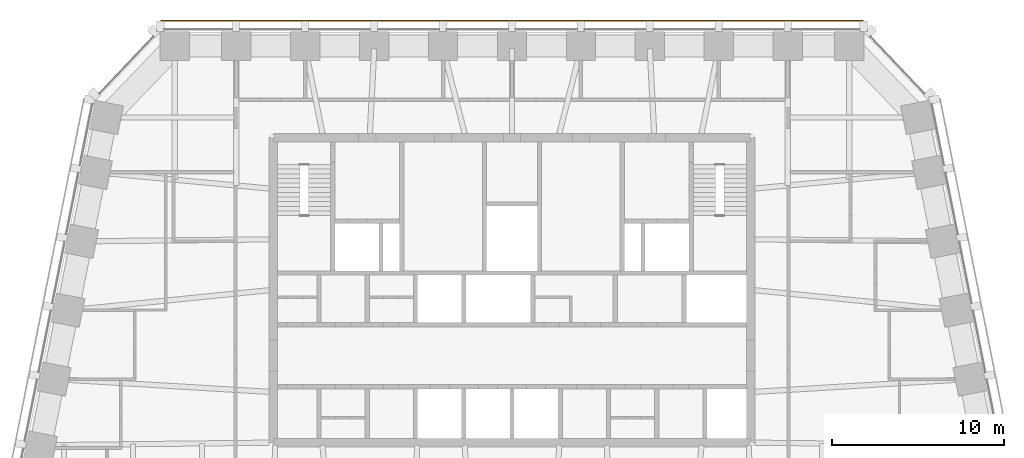
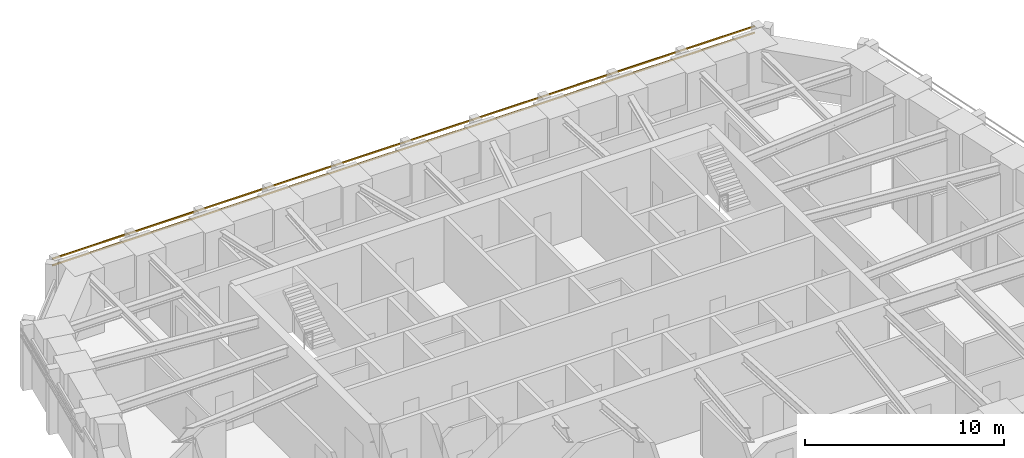
# One storey, part 11 of 11: 2 shading devices.
"""IFC4 building model written with IfcOpenShell, lengths in metres."""

import ifcopenshell
import ifcopenshell.guid

model = None  # the IFC model being written
_history = None  # IfcOwnerHistory: only IFC2X3 demands one
_inside = {}  # id of a spatial element -> (the spatial element, [elements in it])
_under = {}  # id of a project, library or spatial element -> (it, [spatial elements below it])
_declared = {}  # id of a project -> (the project, [libraries it declares])
_typed = {}  # id of a type object -> (the type object, [elements of that type])
_made_of = {}  # id of a material, layer set ... -> (it, [elements and type objects made of it])


def new_model(schema):
    """Start an empty IFC model of exactly this schema.

    Asked for "IFC4X3", IfcOpenShell would pick the latest addendum, in which some entities
    have other attributes; the version numbers below select the first issue.
    IFC2X3 requires an IfcOwnerHistory on every rooted entity: one is made here for all.
    """
    global model, _history
    if schema == "IFC4X3":
        model = ifcopenshell.file(schema_version=(4, 3, 0, 0))
    else:
        model = ifcopenshell.file(schema=schema)
    _inside.clear()
    _under.clear()
    _declared.clear()
    _typed.clear()
    _made_of.clear()
    _history = None
    if model.schema == "IFC2X3":
        org = make("IfcOrganization", Name="unknown")
        user = make(
            "IfcPersonAndOrganization",
            ThePerson=make("IfcPerson", FamilyName="unknown"),
            TheOrganization=org,
        )
        app = make(
            "IfcApplication",
            ApplicationDeveloper=org,
            Version="unknown",
            ApplicationFullName="unknown",
            ApplicationIdentifier="unknown",
        )
        _history = make(
            "IfcOwnerHistory",
            OwningUser=user,
            OwningApplication=app,
            ChangeAction="ADDED",
            CreationDate=0,
        )
    return model


def make(cls, **values):
    """One entity of the class cls with the attributes given. An attribute that is None is left unset."""
    return model.create_entity(
        cls, **{name: value for name, value in values.items() if value is not None}
    )


def rooted(cls, **values):
    """An entity with a GlobalId (a new one), such as an element, a storey or a relation."""
    return make(cls, GlobalId=ifcopenshell.guid.new(), OwnerHistory=_history, **values)


def si_unit(unit_type, name, prefix=None):
    """IfcSIUnit, for example si_unit("LENGTHUNIT", "METRE", prefix="MILLI")."""
    return make("IfcSIUnit", UnitType=unit_type, Prefix=prefix, Name=name)


def assignment(units):
    """IfcUnitAssignment: the units of a project."""
    return None if units is None else make("IfcUnitAssignment", Units=units)


def point(xyz):
    """IfcCartesianPoint."""
    return None if xyz is None else make("IfcCartesianPoint", Coordinates=xyz)


def direction(xyz):
    """IfcDirection."""
    return None if xyz is None else make("IfcDirection", DirectionRatios=xyz)


def frame(location, z_axis=None, x_axis=None):
    """IfcAxis2Placement3D, a coordinate frame: its origin and axes. An axis left out is left unset."""
    return make(
        "IfcAxis2Placement3D",
        Location=point(location),
        Axis=direction(z_axis),
        RefDirection=direction(x_axis),
    )


def frame_2d(location, x_axis=None):
    """IfcAxis2Placement2D, a coordinate frame in the plane: its origin and x axis."""
    return make(
        "IfcAxis2Placement2D", Location=point(location), RefDirection=direction(x_axis)
    )


def origin():
    """The frame at (0, 0, 0) with its axes left unset."""
    return frame((0.0, 0.0, 0.0))


def origin_2d():
    """The frame at (0, 0) in the plane with its x axis left unset."""
    return frame_2d((0.0, 0.0))


def place(relative_to, where):
    """IfcLocalPlacement: puts the frame where relative to a parent placement (None: the world)."""
    return make(
        "IfcLocalPlacement", PlacementRelTo=relative_to, RelativePlacement=where
    )


def context(
    kind, dimensions, precision=None, world=None, true_north=None, identifier=None
):
    """IfcGeometricRepresentationContext, for example the 3D "Model" context."""
    return make(
        "IfcGeometricRepresentationContext",
        ContextIdentifier=identifier,
        ContextType=kind,
        CoordinateSpaceDimension=dimensions,
        Precision=precision,
        WorldCoordinateSystem=world,
        TrueNorth=true_north,
    )


def subcontext(parent, identifier, kind, view, scale=None):
    """IfcGeometricRepresentationSubContext, for example "Body" below "Model"."""
    return make(
        "IfcGeometricRepresentationSubContext",
        ContextIdentifier=identifier,
        ContextType=kind,
        ParentContext=parent,
        TargetScale=scale,
        TargetView=view,
    )


def project(units=None, contexts=None):
    """IfcProject with its units and contexts."""
    return rooted(
        "IfcProject",
        Name="project",
        RepresentationContexts=contexts,
        UnitsInContext=assignment(units),
    )


def spatial(cls, under=None, at=None, **own):
    """A site, building, storey or space (cls), placed at a placement, below another one or the project."""
    s = rooted(cls, ObjectPlacement=at, **own)
    if under is not None:
        _under.setdefault(under.id(), (under, []))[1].append(s)
    return s


def profile(cls, at=None, kind="AREA", **sizes):
    """A parametric profile (cls). Its sizes go by their IFC names, for example OverallWidth=200.0."""
    return make(cls, ProfileType=kind, Position=at, **sizes)


def rectangle(**sizes):
    """IfcRectangleProfileDef."""
    return profile("IfcRectangleProfileDef", **sizes)


def extrude(swept, where, along, depth):
    """IfcExtrudedAreaSolid: the profile swept, set in the frame where, extruded along a direction by depth."""
    return make(
        "IfcExtrudedAreaSolid",
        SweptArea=swept,
        Position=where,
        ExtrudedDirection=direction(along),
        Depth=depth,
    )


def shape(context_of_items, identifier, shape_type, items):
    """IfcShapeRepresentation: the items that make up one representation, for example the "Body"."""
    return make(
        "IfcShapeRepresentation",
        ContextOfItems=context_of_items,
        RepresentationIdentifier=identifier,
        RepresentationType=shape_type,
        Items=items,
    )


def material(Name=None, Category=None):
    """IfcMaterial."""
    return make("IfcMaterial", Name=Name, Category=Category)


def material_profile(
    of_material, cross_section, Name=None, Category=None, Priority=None
):
    """IfcMaterialProfile: a cross section and its material."""
    return make(
        "IfcMaterialProfile",
        Name=Name,
        Material=of_material,
        Profile=cross_section,
        Priority=Priority,
        Category=Category,
    )


def profile_set(profiles, Name=None, composite=None):
    """IfcMaterialProfileSet."""
    return make(
        "IfcMaterialProfileSet",
        Name=Name,
        MaterialProfiles=profiles,
        CompositeProfile=composite,
    )


def made_of(thing, what):
    """Note that an element or type object is made of a material, layer set ...; save() writes the relation."""
    if what is not None:
        _made_of.setdefault(what.id(), (what, []))[1].append(thing)
    return thing


def type_object(cls, material=None, **own):
    """A type object (cls), such as IfcWallType, which elements share."""
    return made_of(rooted(cls, **own), material)


def element(
    cls,
    number,
    at=None,
    inside=None,
    cuts=None,
    type_object=None,
    material=None,
    context=None,
    identifier="Body",
    shape_type=None,
    held_by="IfcProductDefinitionShape",
    body=None,
    shapes=None,
    **own,
):
    """One element of the class cls, such as IfcWall. Its Tag is "e" and its number.

    at: its placement. inside: the storey or other place that contains it. cuts: it is an
    opening in that element (IfcRelVoidsElement). A single representation is given by context,
    identifier, shape_type and body (its items); several are given by shapes. held_by: the class
    of the entity that holds the representations. save() writes the other relations.
    """
    e = rooted(cls, Tag="e%d" % number, ObjectPlacement=at, **own)
    if body is not None:
        shapes = [shape(context, identifier, shape_type, body)]
    if shapes is not None:
        e.Representation = make(held_by, Representations=shapes)
    if inside is not None:
        _inside.setdefault(inside.id(), (inside, []))[1].append(e)
    if cuts is not None:
        rooted(
            "IfcRelVoidsElement", RelatingBuildingElement=cuts, RelatedOpeningElement=e
        )
    if type_object is not None:
        _typed.setdefault(type_object.id(), (type_object, []))[1].append(e)
    return made_of(e, material)


def aggregate(whole, parts):
    """IfcRelAggregates: a whole, such as a stair, and the parts it consists of."""
    return rooted("IfcRelAggregates", RelatingObject=whole, RelatedObjects=parts)


def save(model, path):
    """Write the relations noted so far, then the file.

    IfcRelAggregates (storeys below a building ...), IfcRelContainedInSpatialStructure (elements
    in a storey), IfcRelDefinesByType, IfcRelAssociatesMaterial and IfcRelDeclares: one each for
    every whole, place, type object, material and project.
    """
    for whole, parts in _under.values():
        aggregate(whole, parts)
    for where, things in _inside.values():
        rooted(
            "IfcRelContainedInSpatialStructure",
            RelatedElements=things,
            RelatingStructure=where,
        )
    for kind, things in _typed.values():
        rooted("IfcRelDefinesByType", RelatedObjects=things, RelatingType=kind)
    for what, things in _made_of.values():
        rooted("IfcRelAssociatesMaterial", RelatedObjects=things, RelatingMaterial=what)
    for by, libraries in _declared.values():
        rooted("IfcRelDeclares", RelatingContext=by, RelatedDefinitions=libraries)
    model.write(path)


model = new_model("IFC4")

# Units and contexts
model_context = context("Model", 3, precision=1e-05, world=origin(), true_north=direction((0.0, 1.0)))
body_context = subcontext(model_context, "Body", "Model", "MODEL_VIEW")
ifc_project = project(units=[si_unit("LENGTHUNIT", "METRE"), si_unit("AREAUNIT", "SQUARE_METRE"), si_unit("VOLUMEUNIT", "CUBIC_METRE"), si_unit("PLANEANGLEUNIT", "RADIAN"), si_unit("MASSUNIT", "GRAM", prefix="KILO")], contexts=[model_context])

# Site, building, storey
site_placement = place(None, origin())
site = spatial("IfcSite", under=ifc_project, at=site_placement, CompositionType="ELEMENT")
building_placement = place(site_placement, origin())
building = spatial("IfcBuilding", under=site, at=building_placement, Name="Isbrekke Arena Tower", CompositionType="ELEMENT")
storey_placement = place(building_placement, frame((0.0, 0.0, 284.0)))
storey = spatial("IfcBuildingStorey", under=building, at=storey_placement, Name="L66", CompositionType="ELEMENT", Elevation=284.0)

# Shading devices
ifc_material = material(Name="Terracotta", Category="masonry")
ifc_material_profile = material_profile(ifc_material, rectangle(XDim=0.06005859375, YDim=0.06005859375, at=origin_2d()), Name="BAGUETTE 60X60")
ifc_profile_set = profile_set([ifc_material_profile], Name="Terracotta")
shading_device_type = type_object("IfcShadingDeviceType", Name="BG1 TERRACOTTA BAGUETTE 60 x 60", PredefinedType="USERDEFINED", material=ifc_profile_set)
for number, where, z_axis, x_axis, name in (
    (1, (20.39990234375, 30.655029296875, 3.280029296875), (-1.0, 0.0, 0.0), (0.0, -1.0, 0.0), "BG1 terracotta baguette N1 L66"),
    (2, (20.39990234375, 30.655029296875, 3.679931640625), (-1.0, 0.0, 0.0), (0.0, -1.0, 0.0), "BG1 terracotta baguette N2 L66"),
):
    element("IfcShadingDevice", number, at=place(storey_placement, frame(where, z_axis=z_axis, x_axis=x_axis)), inside=storey, type_object=shading_device_type, Name=name, ObjectType="TERRACOTTA BAGUETTE", PredefinedType="USERDEFINED", context=body_context, shape_type="SweptSolid", body=[
        extrude(rectangle(XDim=0.06005859375, YDim=0.06005859375, at=origin_2d()), origin(), (0.0, 0.0, 1.0), 40.7998046875),
    ])

save(model, "model.ifc")
